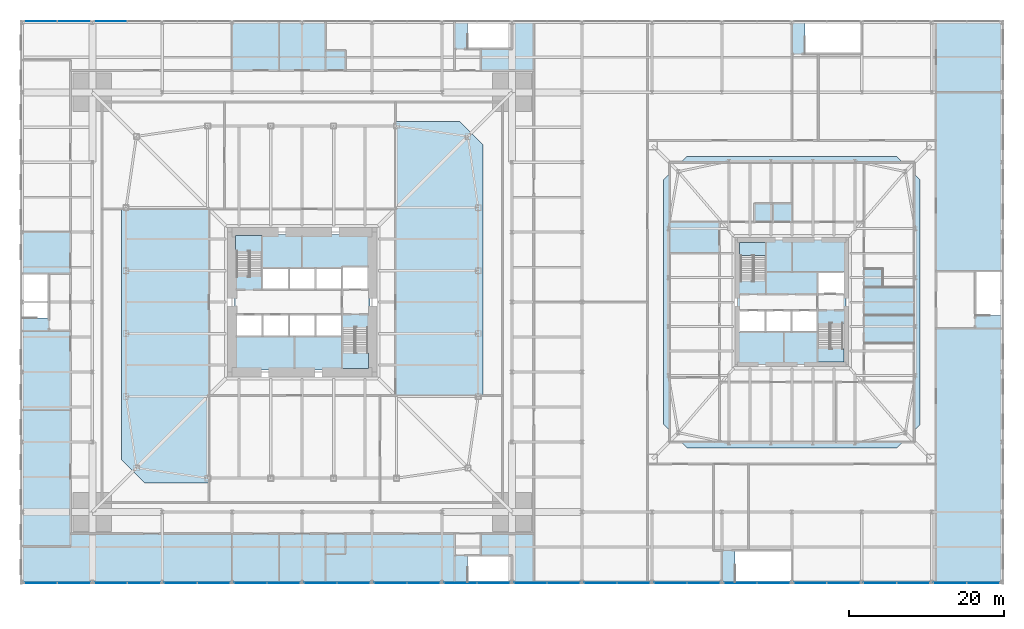
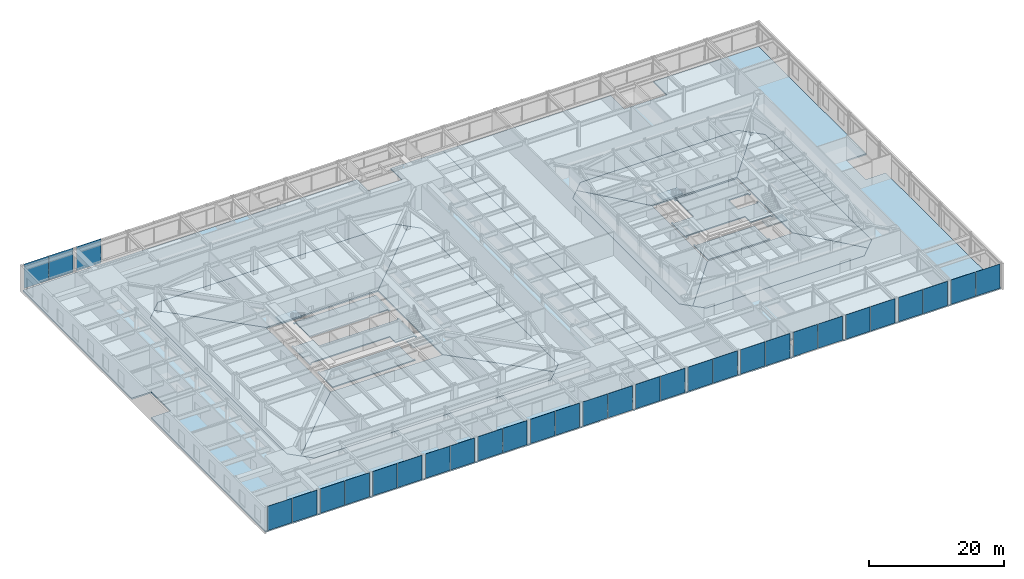
# One storey, part 18 of 30: 31 plates, 19 slabs, 20 elements without a shape of their own.
"""IFC4 building model written with IfcOpenShell, lengths in metres."""

from ifc_helpers import new_model, si_unit, direction, frame, origin, origin_2d, place, context, subcontext, project, spatial, polyline, rectangle, outline, extrude, material, layer, layer_set, constituent, constituent_set, type_object, element, aggregate, save


model = new_model("IFC4")

# Units and contexts
model_context = context("Model", 3, precision=1e-05, world=origin(), true_north=direction((0.0, 1.0)))
body_context = subcontext(model_context, "Body", "Model", "MODEL_VIEW")
ifc_project = project(units=[si_unit("LENGTHUNIT", "METRE"), si_unit("AREAUNIT", "SQUARE_METRE"), si_unit("VOLUMEUNIT", "CUBIC_METRE"), si_unit("PLANEANGLEUNIT", "RADIAN"), si_unit("MASSUNIT", "GRAM", prefix="KILO")], contexts=[model_context])

# Site, building, storey
site_placement = place(None, origin())
site = spatial("IfcSite", under=ifc_project, at=site_placement, CompositionType="ELEMENT")
building_placement = place(site_placement, origin())
building = spatial("IfcBuilding", under=site, at=building_placement, Name="Iwan Alto Co-Living Towers", CompositionType="ELEMENT")
storey_placement = place(building_placement, frame((0.0, 0.0, 10.5)))
storey = spatial("IfcBuildingStorey", under=building, at=storey_placement, Name="L02", CompositionType="ELEMENT", Elevation=10.5)

# Slabs
ifc_material_1 = material(Name="Concrete f'c 30 MPa", Category="concrete")
ifc_layer_1 = layer(ifc_material_1, 0.199951171875)
ifc_layer_set_1 = layer_set([ifc_layer_1], Name="CORE FLOOR SLAB 200")
slab_type_1 = type_object("IfcSlabType", Name="CORE FLOOR SLAB 200", PredefinedType="FLOOR", material=ifc_layer_set_1)
slab_1_placement = place(storey_placement, frame((0.0, 0.0, -0.199951171875)))
element("IfcSlab", 1, at=slab_1_placement, inside=storey, type_object=slab_type_1, Name="T1 core floor L02", PredefinedType="FLOOR", context=body_context, shape_type="SweptSolid", body=[
    extrude(outline(polyline([(8.699951171875, -3.580078125), (8.39990234375, -3.580078125), (8.39990234375, -3.27001953125), (5.14990234375, -3.27001953125), (5.14990234375, -1.60009765625), (1.72509765625, -1.60009765625), (-1.699951171875, -1.60009765625), (-5.125, -1.60009765625), (-8.39990234375, -1.60009765625), (-8.39990234375, -1.909912109375), (-8.699951171875, -1.909912109375), (-8.699951171875, 3.580078125), (-8.39990234375, 3.580078125), (-8.39990234375, 3.27001953125), (-5.14990234375, 3.27001953125), (-5.14990234375, 1.60009765625), (-1.717041015625, 1.60009765625), (1.717041015625, 1.60009765625), (5.14990234375, 1.60009765625), (8.39990234375, 1.60009765625), (8.39990234375, 1.909912109375), (8.699951171875, 1.909912109375), (8.699951171875, -3.580078125)])), origin(), (0.0, 0.0, 1.0), 0.199951171875),
])
slab_2_placement = place(storey_placement, frame((0.0, 0.0, -0.199951171875)))
element("IfcSlab", 2, at=slab_2_placement, inside=storey, type_object=slab_type_1, Name="T1 core floor L02", PredefinedType="FLOOR", context=body_context, shape_type="SweptSolid", body=[
    extrude(outline(polyline([(-1.699951171875, -4.39990234375), (1.72509765625, -4.39990234375), (5.14990234375, -4.39990234375), (5.14990234375, -8.39990234375), (5.4599609375, -8.39990234375), (5.4599609375, -8.699951171875), (-8.699951171875, -8.699951171875), (-8.699951171875, -4.090087890625), (-8.39990234375, -4.090087890625), (-8.39990234375, -4.39990234375), (-5.125, -4.39990234375), (-1.699951171875, -4.39990234375)])), origin(), (0.0, 0.0, 1.0), 0.199951171875),
])
slab_3_placement = place(storey_placement, frame((0.0, 0.0, -0.199951171875)))
element("IfcSlab", 3, at=slab_3_placement, inside=storey, type_object=slab_type_1, Name="T1 core floor L02", PredefinedType="FLOOR", context=body_context, shape_type="SweptSolid", body=[
    extrude(outline(polyline([(1.717041015625, 4.39990234375), (-1.717041015625, 4.39990234375), (-5.14990234375, 4.39990234375), (-5.14990234375, 8.39990234375), (-5.4599609375, 8.39990234375), (-5.4599609375, 8.699951171875), (8.699951171875, 8.699951171875), (8.699951171875, 4.2900390625), (8.39990234375, 4.2900390625), (8.39990234375, 4.60009765625), (5.14990234375, 4.60009765625), (5.14990234375, 4.39990234375), (1.717041015625, 4.39990234375)])), origin(), (0.0, 0.0, 1.0), 0.199951171875),
])
slab_4_placement = place(storey_placement, frame((0.0, 0.0, -0.199951171875)))
element("IfcSlab", 4, at=slab_4_placement, inside=storey, type_object=slab_type_1, Name="T2 core floor L02", PredefinedType="FLOOR", context=body_context, shape_type="SweptSolid", body=[
    extrude(outline(polyline([(70.0, -3.030029296875), (69.699951171875, -3.030029296875), (69.699951171875, -2.719970703125), (66.300048828125, -2.719970703125), (66.300048828125, -1.050048828125), (62.967041015625, -1.050048828125), (59.633056640625, -1.050048828125), (56.300048828125, -1.050048828125), (56.300048828125, -1.360107421875), (56.0, -1.360107421875), (56.0, 3.030029296875), (56.300048828125, 3.030029296875), (56.300048828125, 2.719970703125), (59.699951171875, 2.719970703125), (59.699951171875, 7.699951171875), (59.389892578125, 7.699951171875), (59.389892578125, 8.0), (70.0, 8.0), (70.0, 3.5400390625), (69.699951171875, 3.5400390625), (69.699951171875, 3.85009765625), (66.300048828125, 3.85009765625), (66.300048828125, 1.050048828125), (69.699951171875, 1.050048828125), (69.699951171875, 1.360107421875), (70.0, 1.360107421875), (70.0, -3.030029296875)])), origin(), (0.0, 0.0, 1.0), 0.199951171875),
])
slab_5_placement = place(storey_placement, frame((0.0, 0.0, -0.199951171875)))
element("IfcSlab", 5, at=slab_5_placement, inside=storey, type_object=slab_type_1, Name="T2 core floor L02", PredefinedType="FLOOR", context=body_context, shape_type="SweptSolid", body=[
    extrude(outline(polyline([(62.967041015625, -3.85009765625), (66.300048828125, -3.85009765625), (66.300048828125, -7.699951171875), (66.610107421875, -7.699951171875), (66.610107421875, -8.0), (56.0, -8.0), (56.0, -3.5400390625), (56.300048828125, -3.5400390625), (56.300048828125, -3.85009765625), (59.633056640625, -3.85009765625), (62.967041015625, -3.85009765625)])), origin(), (0.0, 0.0, 1.0), 0.199951171875),
])

# Curtain wall, plates
ifc_material_2 = material(Name="Bronze aluminium stick frame", Category="aluminium")
curtain_wall_type = type_object("IfcCurtainWallType", Name="CURTAIN WALL CW-E", PredefinedType="NOTDEFINED", material=ifc_material_2)
curtain_wall_1_placement = place(storey_placement, origin())
curtain_wall_1 = element("IfcCurtainWall", 6, at=curtain_wall_1_placement, inside=storey, type_object=curtain_wall_type, Name="Podium curtain wall S L02", PredefinedType="NOTDEFINED")
ifc_material_3 = material(Name="Bronze-tinted insulating glass", Category="glass")
ifc_layer_2 = layer(ifc_material_3, 0.031982421875)
ifc_layer_set_2 = layer_set([ifc_layer_2], Name="CW-E PANEL TINTED IGU 32")
plate_type = type_object("IfcPlateType", Name="CW-E PANEL TINTED IGU 32", PredefinedType="CURTAIN_PANEL", material=ifc_layer_set_2)
plate_1_placement = place(storey_placement, frame((-33.627197265625, -36.14990234375, 0.10009765625), z_axis=(0.0, 0.0, 1.0), x_axis=(1.0, 0.0, 0.0)))
plate_1 = element("IfcPlate", 7, at=plate_1_placement, type_object=plate_type, Name="CW-E panel 1.1", PredefinedType="CURTAIN_PANEL", context=body_context, shape_type="SweptSolid", body=[
    extrude(rectangle(XDim=4.17431640625, YDim=0.031982421875, at=origin_2d()), origin(), (0.0, 0.0, 1.0), 4.39990234375),
])
plate_2_placement = place(storey_placement, frame((-29.372802734375, -36.14990234375, 0.10009765625), z_axis=(0.0, 0.0, 1.0), x_axis=(1.0, 0.0, 0.0)))
plate_2 = element("IfcPlate", 8, at=plate_2_placement, type_object=plate_type, Name="CW-E panel 2.1", PredefinedType="CURTAIN_PANEL", context=body_context, shape_type="SweptSolid", body=[
    extrude(rectangle(XDim=4.17431640625, YDim=0.031982421875, at=origin_2d()), origin(), (0.0, 0.0, 1.0), 4.39990234375),
])
aggregate(curtain_wall_1, [plate_1, plate_2])

curtain_wall_2_placement = place(storey_placement, origin())
curtain_wall_2 = element("IfcCurtainWall", 9, at=curtain_wall_2_placement, inside=storey, type_object=curtain_wall_type, Name="Podium curtain wall S L02", PredefinedType="NOTDEFINED")
plate_3_placement = place(storey_placement, frame((-24.627197265625, -36.14990234375, 0.10009765625), z_axis=(0.0, 0.0, 1.0), x_axis=(1.0, 0.0, 0.0)))
plate_3 = element("IfcPlate", 10, at=plate_3_placement, type_object=plate_type, Name="CW-E panel 1.1", PredefinedType="CURTAIN_PANEL", context=body_context, shape_type="SweptSolid", body=[
    extrude(rectangle(XDim=4.17431640625, YDim=0.031982421875, at=origin_2d()), origin(), (0.0, 0.0, 1.0), 4.39990234375),
])
plate_4_placement = place(storey_placement, frame((-20.372802734375, -36.14990234375, 0.10009765625), z_axis=(0.0, 0.0, 1.0), x_axis=(1.0, 0.0, 0.0)))
plate_4 = element("IfcPlate", 11, at=plate_4_placement, type_object=plate_type, Name="CW-E panel 2.1", PredefinedType="CURTAIN_PANEL", context=body_context, shape_type="SweptSolid", body=[
    extrude(rectangle(XDim=4.17431640625, YDim=0.031982421875, at=origin_2d()), origin(), (0.0, 0.0, 1.0), 4.39990234375),
])
aggregate(curtain_wall_2, [plate_3, plate_4])

curtain_wall_3_placement = place(storey_placement, origin())
curtain_wall_3 = element("IfcCurtainWall", 12, at=curtain_wall_3_placement, inside=storey, type_object=curtain_wall_type, Name="Podium curtain wall S L02", PredefinedType="NOTDEFINED")
plate_5_placement = place(storey_placement, frame((-15.627197265625, -36.14990234375, 0.10009765625), z_axis=(0.0, 0.0, 1.0), x_axis=(1.0, 0.0, 0.0)))
plate_5 = element("IfcPlate", 13, at=plate_5_placement, type_object=plate_type, Name="CW-E panel 1.1", PredefinedType="CURTAIN_PANEL", context=body_context, shape_type="SweptSolid", body=[
    extrude(rectangle(XDim=4.17431640625, YDim=0.031982421875, at=origin_2d()), origin(), (0.0, 0.0, 1.0), 4.39990234375),
])
plate_6_placement = place(storey_placement, frame((-11.372802734375, -36.14990234375, 0.10009765625), z_axis=(0.0, 0.0, 1.0), x_axis=(1.0, 0.0, 0.0)))
plate_6 = element("IfcPlate", 14, at=plate_6_placement, type_object=plate_type, Name="CW-E panel 2.1", PredefinedType="CURTAIN_PANEL", context=body_context, shape_type="SweptSolid", body=[
    extrude(rectangle(XDim=4.17431640625, YDim=0.031982421875, at=origin_2d()), origin(), (0.0, 0.0, 1.0), 4.39990234375),
])
aggregate(curtain_wall_3, [plate_5, plate_6])

curtain_wall_4_placement = place(storey_placement, origin())
curtain_wall_4 = element("IfcCurtainWall", 15, at=curtain_wall_4_placement, inside=storey, type_object=curtain_wall_type, Name="Podium curtain wall S L02", PredefinedType="NOTDEFINED")
plate_7_placement = place(storey_placement, frame((-6.627197265625, -36.14990234375, 0.10009765625), z_axis=(0.0, 0.0, 1.0), x_axis=(1.0, 0.0, 0.0)))
plate_7 = element("IfcPlate", 16, at=plate_7_placement, type_object=plate_type, Name="CW-E panel 1.1", PredefinedType="CURTAIN_PANEL", context=body_context, shape_type="SweptSolid", body=[
    extrude(rectangle(XDim=4.17431640625, YDim=0.031982421875, at=origin_2d()), origin(), (0.0, 0.0, 1.0), 4.39990234375),
])
plate_8_placement = place(storey_placement, frame((-2.372802734375, -36.14990234375, 0.10009765625), z_axis=(0.0, 0.0, 1.0), x_axis=(1.0, 0.0, 0.0)))
plate_8 = element("IfcPlate", 17, at=plate_8_placement, type_object=plate_type, Name="CW-E panel 2.1", PredefinedType="CURTAIN_PANEL", context=body_context, shape_type="SweptSolid", body=[
    extrude(rectangle(XDim=4.17431640625, YDim=0.031982421875, at=origin_2d()), origin(), (0.0, 0.0, 1.0), 4.39990234375),
])
aggregate(curtain_wall_4, [plate_7, plate_8])

curtain_wall_5_placement = place(storey_placement, origin())
curtain_wall_5 = element("IfcCurtainWall", 18, at=curtain_wall_5_placement, inside=storey, type_object=curtain_wall_type, Name="Podium curtain wall S L02", PredefinedType="NOTDEFINED")
plate_9_placement = place(storey_placement, frame((2.372802734375, -36.14990234375, 0.10009765625), z_axis=(0.0, 0.0, 1.0), x_axis=(1.0, 0.0, 0.0)))
plate_9 = element("IfcPlate", 19, at=plate_9_placement, type_object=plate_type, Name="CW-E panel 1.1", PredefinedType="CURTAIN_PANEL", context=body_context, shape_type="SweptSolid", body=[
    extrude(rectangle(XDim=4.17431640625, YDim=0.031982421875, at=origin_2d()), origin(), (0.0, 0.0, 1.0), 4.39990234375),
])
plate_10_placement = place(storey_placement, frame((6.627197265625, -36.14990234375, 0.10009765625), z_axis=(0.0, 0.0, 1.0), x_axis=(1.0, 0.0, 0.0)))
plate_10 = element("IfcPlate", 20, at=plate_10_placement, type_object=plate_type, Name="CW-E panel 2.1", PredefinedType="CURTAIN_PANEL", context=body_context, shape_type="SweptSolid", body=[
    extrude(rectangle(XDim=4.17431640625, YDim=0.031982421875, at=origin_2d()), origin(), (0.0, 0.0, 1.0), 4.39990234375),
])
aggregate(curtain_wall_5, [plate_9, plate_10])

curtain_wall_6_placement = place(storey_placement, origin())
curtain_wall_6 = element("IfcCurtainWall", 21, at=curtain_wall_6_placement, inside=storey, type_object=curtain_wall_type, Name="Podium curtain wall S L02", PredefinedType="NOTDEFINED")
plate_11_placement = place(storey_placement, frame((11.372802734375, -36.14990234375, 0.10009765625), z_axis=(0.0, 0.0, 1.0), x_axis=(1.0, 0.0, 0.0)))
plate_11 = element("IfcPlate", 22, at=plate_11_placement, type_object=plate_type, Name="CW-E panel 1.1", PredefinedType="CURTAIN_PANEL", context=body_context, shape_type="SweptSolid", body=[
    extrude(rectangle(XDim=4.17431640625, YDim=0.031982421875, at=origin_2d()), origin(), (0.0, 0.0, 1.0), 4.39990234375),
])
plate_12_placement = place(storey_placement, frame((15.627197265625, -36.14990234375, 0.10009765625), z_axis=(0.0, 0.0, 1.0), x_axis=(1.0, 0.0, 0.0)))
plate_12 = element("IfcPlate", 23, at=plate_12_placement, type_object=plate_type, Name="CW-E panel 2.1", PredefinedType="CURTAIN_PANEL", context=body_context, shape_type="SweptSolid", body=[
    extrude(rectangle(XDim=4.17431640625, YDim=0.031982421875, at=origin_2d()), origin(), (0.0, 0.0, 1.0), 4.39990234375),
])
aggregate(curtain_wall_6, [plate_11, plate_12])

curtain_wall_7_placement = place(storey_placement, origin())
curtain_wall_7 = element("IfcCurtainWall", 24, at=curtain_wall_7_placement, inside=storey, type_object=curtain_wall_type, Name="Podium curtain wall S L02", PredefinedType="NOTDEFINED")
plate_13_placement = place(storey_placement, frame((20.372802734375, -36.14990234375, 0.10009765625), z_axis=(0.0, 0.0, 1.0), x_axis=(1.0, 0.0, 0.0)))
plate_13 = element("IfcPlate", 25, at=plate_13_placement, type_object=plate_type, Name="CW-E panel 1.1", PredefinedType="CURTAIN_PANEL", context=body_context, shape_type="SweptSolid", body=[
    extrude(rectangle(XDim=4.17431640625, YDim=0.031982421875, at=origin_2d()), origin(), (0.0, 0.0, 1.0), 4.39990234375),
])
plate_14_placement = place(storey_placement, frame((24.627197265625, -36.14990234375, 0.10009765625), z_axis=(0.0, 0.0, 1.0), x_axis=(1.0, 0.0, 0.0)))
plate_14 = element("IfcPlate", 26, at=plate_14_placement, type_object=plate_type, Name="CW-E panel 2.1", PredefinedType="CURTAIN_PANEL", context=body_context, shape_type="SweptSolid", body=[
    extrude(rectangle(XDim=4.17431640625, YDim=0.031982421875, at=origin_2d()), origin(), (0.0, 0.0, 1.0), 4.39990234375),
])
aggregate(curtain_wall_7, [plate_13, plate_14])

curtain_wall_8_placement = place(storey_placement, origin())
curtain_wall_8 = element("IfcCurtainWall", 27, at=curtain_wall_8_placement, inside=storey, type_object=curtain_wall_type, Name="Podium curtain wall S L02", PredefinedType="NOTDEFINED")
plate_15_placement = place(storey_placement, frame((29.372802734375, -36.14990234375, 0.10009765625), z_axis=(0.0, 0.0, 1.0), x_axis=(1.0, 0.0, 0.0)))
plate_15 = element("IfcPlate", 28, at=plate_15_placement, type_object=plate_type, Name="CW-E panel 1.1", PredefinedType="CURTAIN_PANEL", context=body_context, shape_type="SweptSolid", body=[
    extrude(rectangle(XDim=4.17431640625, YDim=0.031982421875, at=origin_2d()), origin(), (0.0, 0.0, 1.0), 4.39990234375),
])
plate_16_placement = place(storey_placement, frame((33.627197265625, -36.14990234375, 0.10009765625), z_axis=(0.0, 0.0, 1.0), x_axis=(1.0, 0.0, 0.0)))
plate_16 = element("IfcPlate", 29, at=plate_16_placement, type_object=plate_type, Name="CW-E panel 2.1", PredefinedType="CURTAIN_PANEL", context=body_context, shape_type="SweptSolid", body=[
    extrude(rectangle(XDim=4.17431640625, YDim=0.031982421875, at=origin_2d()), origin(), (0.0, 0.0, 1.0), 4.39990234375),
])
aggregate(curtain_wall_8, [plate_15, plate_16])

curtain_wall_9_placement = place(storey_placement, origin())
curtain_wall_9 = element("IfcCurtainWall", 30, at=curtain_wall_9_placement, inside=storey, type_object=curtain_wall_type, Name="Podium curtain wall S L02", PredefinedType="NOTDEFINED")
plate_17_placement = place(storey_placement, frame((38.372802734375, -36.14990234375, 0.10009765625), z_axis=(0.0, 0.0, 1.0), x_axis=(1.0, 0.0, 0.0)))
plate_17 = element("IfcPlate", 31, at=plate_17_placement, type_object=plate_type, Name="CW-E panel 1.1", PredefinedType="CURTAIN_PANEL", context=body_context, shape_type="SweptSolid", body=[
    extrude(rectangle(XDim=4.17431640625, YDim=0.031982421875, at=origin_2d()), origin(), (0.0, 0.0, 1.0), 4.39990234375),
])
plate_18_placement = place(storey_placement, frame((42.627197265625, -36.14990234375, 0.10009765625), z_axis=(0.0, 0.0, 1.0), x_axis=(1.0, 0.0, 0.0)))
plate_18 = element("IfcPlate", 32, at=plate_18_placement, type_object=plate_type, Name="CW-E panel 2.1", PredefinedType="CURTAIN_PANEL", context=body_context, shape_type="SweptSolid", body=[
    extrude(rectangle(XDim=4.17431640625, YDim=0.031982421875, at=origin_2d()), origin(), (0.0, 0.0, 1.0), 4.39990234375),
])
aggregate(curtain_wall_9, [plate_17, plate_18])

curtain_wall_10_placement = place(storey_placement, origin())
curtain_wall_10 = element("IfcCurtainWall", 33, at=curtain_wall_10_placement, inside=storey, type_object=curtain_wall_type, Name="Podium curtain wall S L02", PredefinedType="NOTDEFINED")
plate_19_placement = place(storey_placement, frame((47.372802734375, -36.14990234375, 0.10009765625), z_axis=(0.0, 0.0, 1.0), x_axis=(1.0, 0.0, 0.0)))
plate_19 = element("IfcPlate", 34, at=plate_19_placement, type_object=plate_type, Name="CW-E panel 1.1", PredefinedType="CURTAIN_PANEL", context=body_context, shape_type="SweptSolid", body=[
    extrude(rectangle(XDim=4.17431640625, YDim=0.031982421875, at=origin_2d()), origin(), (0.0, 0.0, 1.0), 4.39990234375),
])
plate_20_placement = place(storey_placement, frame((51.627197265625, -36.14990234375, 0.10009765625), z_axis=(0.0, 0.0, 1.0), x_axis=(1.0, 0.0, 0.0)))
plate_20 = element("IfcPlate", 35, at=plate_20_placement, type_object=plate_type, Name="CW-E panel 2.1", PredefinedType="CURTAIN_PANEL", context=body_context, shape_type="SweptSolid", body=[
    extrude(rectangle(XDim=4.17431640625, YDim=0.031982421875, at=origin_2d()), origin(), (0.0, 0.0, 1.0), 4.39990234375),
])
aggregate(curtain_wall_10, [plate_19, plate_20])

curtain_wall_11_placement = place(storey_placement, origin())
curtain_wall_11 = element("IfcCurtainWall", 36, at=curtain_wall_11_placement, inside=storey, type_object=curtain_wall_type, Name="Podium curtain wall S L02", PredefinedType="NOTDEFINED")
plate_21_placement = place(storey_placement, frame((56.372802734375, -36.14990234375, 0.10009765625), z_axis=(0.0, 0.0, 1.0), x_axis=(1.0, 0.0, 0.0)))
plate_21 = element("IfcPlate", 37, at=plate_21_placement, type_object=plate_type, Name="CW-E panel 1.1", PredefinedType="CURTAIN_PANEL", context=body_context, shape_type="SweptSolid", body=[
    extrude(rectangle(XDim=4.17431640625, YDim=0.031982421875, at=origin_2d()), origin(), (0.0, 0.0, 1.0), 4.39990234375),
])
plate_22_placement = place(storey_placement, frame((60.627197265625, -36.14990234375, 0.10009765625), z_axis=(0.0, 0.0, 1.0), x_axis=(1.0, 0.0, 0.0)))
plate_22 = element("IfcPlate", 38, at=plate_22_placement, type_object=plate_type, Name="CW-E panel 2.1", PredefinedType="CURTAIN_PANEL", context=body_context, shape_type="SweptSolid", body=[
    extrude(rectangle(XDim=4.17431640625, YDim=0.031982421875, at=origin_2d()), origin(), (0.0, 0.0, 1.0), 4.39990234375),
])
aggregate(curtain_wall_11, [plate_21, plate_22])

curtain_wall_12_placement = place(storey_placement, origin())
curtain_wall_12 = element("IfcCurtainWall", 39, at=curtain_wall_12_placement, inside=storey, type_object=curtain_wall_type, Name="Podium curtain wall S L02", PredefinedType="NOTDEFINED")
plate_23_placement = place(storey_placement, frame((65.372802734375, -36.14990234375, 0.10009765625), z_axis=(0.0, 0.0, 1.0), x_axis=(1.0, 0.0, 0.0)))
plate_23 = element("IfcPlate", 40, at=plate_23_placement, type_object=plate_type, Name="CW-E panel 1.1", PredefinedType="CURTAIN_PANEL", context=body_context, shape_type="SweptSolid", body=[
    extrude(rectangle(XDim=4.17431640625, YDim=0.031982421875, at=origin_2d()), origin(), (0.0, 0.0, 1.0), 4.39990234375),
])
plate_24_placement = place(storey_placement, frame((69.627197265625, -36.14990234375, 0.10009765625), z_axis=(0.0, 0.0, 1.0), x_axis=(1.0, 0.0, 0.0)))
plate_24 = element("IfcPlate", 41, at=plate_24_placement, type_object=plate_type, Name="CW-E panel 2.1", PredefinedType="CURTAIN_PANEL", context=body_context, shape_type="SweptSolid", body=[
    extrude(rectangle(XDim=4.17431640625, YDim=0.031982421875, at=origin_2d()), origin(), (0.0, 0.0, 1.0), 4.39990234375),
])
aggregate(curtain_wall_12, [plate_23, plate_24])

curtain_wall_13_placement = place(storey_placement, origin())
curtain_wall_13 = element("IfcCurtainWall", 42, at=curtain_wall_13_placement, inside=storey, type_object=curtain_wall_type, Name="Podium curtain wall S L02", PredefinedType="NOTDEFINED")
plate_25_placement = place(storey_placement, frame((74.372802734375, -36.14990234375, 0.10009765625), z_axis=(0.0, 0.0, 1.0), x_axis=(1.0, 0.0, 0.0)))
plate_25 = element("IfcPlate", 43, at=plate_25_placement, type_object=plate_type, Name="CW-E panel 1.1", PredefinedType="CURTAIN_PANEL", context=body_context, shape_type="SweptSolid", body=[
    extrude(rectangle(XDim=4.17431640625, YDim=0.031982421875, at=origin_2d()), origin(), (0.0, 0.0, 1.0), 4.39990234375),
])
plate_26_placement = place(storey_placement, frame((78.627197265625, -36.14990234375, 0.10009765625), z_axis=(0.0, 0.0, 1.0), x_axis=(1.0, 0.0, 0.0)))
plate_26 = element("IfcPlate", 44, at=plate_26_placement, type_object=plate_type, Name="CW-E panel 2.1", PredefinedType="CURTAIN_PANEL", context=body_context, shape_type="SweptSolid", body=[
    extrude(rectangle(XDim=4.17431640625, YDim=0.031982421875, at=origin_2d()), origin(), (0.0, 0.0, 1.0), 4.39990234375),
])
aggregate(curtain_wall_13, [plate_25, plate_26])

curtain_wall_14_placement = place(storey_placement, origin())
curtain_wall_14 = element("IfcCurtainWall", 45, at=curtain_wall_14_placement, inside=storey, type_object=curtain_wall_type, Name="Podium curtain wall S L02", PredefinedType="NOTDEFINED")
plate_27_placement = place(storey_placement, frame((83.372802734375, -36.14990234375, 0.10009765625), z_axis=(0.0, 0.0, 1.0), x_axis=(1.0, 0.0, 0.0)))
plate_27 = element("IfcPlate", 46, at=plate_27_placement, type_object=plate_type, Name="CW-E panel 1.1", PredefinedType="CURTAIN_PANEL", context=body_context, shape_type="SweptSolid", body=[
    extrude(rectangle(XDim=4.17431640625, YDim=0.031982421875, at=origin_2d()), origin(), (0.0, 0.0, 1.0), 4.39990234375),
])
plate_28_placement = place(storey_placement, frame((87.627197265625, -36.14990234375, 0.10009765625), z_axis=(0.0, 0.0, 1.0), x_axis=(1.0, 0.0, 0.0)))
plate_28 = element("IfcPlate", 47, at=plate_28_placement, type_object=plate_type, Name="CW-E panel 2.1", PredefinedType="CURTAIN_PANEL", context=body_context, shape_type="SweptSolid", body=[
    extrude(rectangle(XDim=4.17431640625, YDim=0.031982421875, at=origin_2d()), origin(), (0.0, 0.0, 1.0), 4.39990234375),
])
aggregate(curtain_wall_14, [plate_27, plate_28])

curtain_wall_15_placement = place(storey_placement, origin())
curtain_wall_15 = element("IfcCurtainWall", 48, at=curtain_wall_15_placement, inside=storey, type_object=curtain_wall_type, Name="Podium curtain wall N L02", PredefinedType="NOTDEFINED")
plate_29_placement = place(storey_placement, frame((-29.372802734375, 36.14990234375, 0.10009765625), z_axis=(0.0, 0.0, 1.0), x_axis=(-1.0, 0.0, 0.0)))
plate_29 = element("IfcPlate", 49, at=plate_29_placement, type_object=plate_type, Name="CW-E panel 1.1", PredefinedType="CURTAIN_PANEL", context=body_context, shape_type="SweptSolid", body=[
    extrude(rectangle(XDim=4.17431640625, YDim=0.031982421875, at=origin_2d()), origin(), (0.0, 0.0, 1.0), 4.39990234375),
])
plate_30_placement = place(storey_placement, frame((-33.627197265625, 36.14990234375, 0.10009765625), z_axis=(0.0, 0.0, 1.0), x_axis=(-1.0, 0.0, 0.0)))
plate_30 = element("IfcPlate", 50, at=plate_30_placement, type_object=plate_type, Name="CW-E panel 2.1", PredefinedType="CURTAIN_PANEL", context=body_context, shape_type="SweptSolid", body=[
    extrude(rectangle(XDim=4.17431640625, YDim=0.031982421875, at=origin_2d()), origin(), (0.0, 0.0, 1.0), 4.39990234375),
])
aggregate(curtain_wall_15, [plate_29, plate_30])

# Curtain wall, plate
curtain_wall_16_placement = place(storey_placement, origin())
curtain_wall_16 = element("IfcCurtainWall", 51, at=curtain_wall_16_placement, inside=storey, type_object=curtain_wall_type, Name="Podium curtain wall N L02", PredefinedType="NOTDEFINED")
plate_31_placement = place(storey_placement, frame((-24.627197265625, 36.14990234375, 0.10009765625), z_axis=(0.0, 0.0, 1.0), x_axis=(-1.0, 0.0, 0.0)))
plate_31 = element("IfcPlate", 52, at=plate_31_placement, type_object=plate_type, Name="CW-E panel 2.1", PredefinedType="CURTAIN_PANEL", context=body_context, shape_type="SweptSolid", body=[
    extrude(rectangle(XDim=4.17431640625, YDim=0.031982421875, at=origin_2d()), origin(), (0.0, 0.0, 1.0), 4.39990234375),
])
aggregate(curtain_wall_16, [plate_31])

# Slabs
ifc_material_4 = material(Name="Concrete f'c 30 MPa", Category="concrete")
ifc_layer_3 = layer(ifc_material_4, 0.25)
ifc_layer_set_3 = layer_set([ifc_layer_3], Name="PODIUM FLOOR SLAB 250")
slab_type_2 = type_object("IfcSlabType", Name="PODIUM FLOOR SLAB 250", PredefinedType="FLOOR", material=ifc_layer_set_3)
slab_6_placement = place(storey_placement, frame((0.0, 0.0, -0.25)))
element("IfcSlab", 53, at=slab_6_placement, inside=storey, type_object=slab_type_2, Name="Podium floor slab L02 T1 S pour", PredefinedType="FLOOR", context=body_context, shape_type="SweptSolid", body=[
    extrude(outline(polyline([(20.25, -23.25), (-20.25, -23.25), (-21.75, -21.75), (-9.60009765625, -9.60009765625), (9.60009765625, -9.60009765625), (21.75, -21.75), (20.25, -23.25)])), origin(), (0.0, 0.0, 1.0), 0.25),
])
slab_7_placement = place(storey_placement, frame((0.0, 0.0, -0.25)))
element("IfcSlab", 54, at=slab_7_placement, inside=storey, type_object=slab_type_2, Name="Podium floor slab L02 T1 E pour", PredefinedType="FLOOR", context=body_context, shape_type="SweptSolid", body=[
    extrude(outline(polyline([(23.25, 20.25), (23.25, -20.25), (21.75, -21.75), (9.60009765625, -9.60009765625), (9.60009765625, 9.60009765625), (21.75, 21.75), (23.25, 20.25)])), origin(), (0.0, 0.0, 1.0), 0.25),
])
slab_8_placement = place(storey_placement, frame((0.0, 0.0, -0.25)))
element("IfcSlab", 55, at=slab_8_placement, inside=storey, type_object=slab_type_2, Name="Podium floor slab L02 T1 N pour", PredefinedType="FLOOR", context=body_context, shape_type="SweptSolid", body=[
    extrude(outline(polyline([(-20.25, 23.25), (20.25, 23.25), (21.75, 21.75), (9.60009765625, 9.60009765625), (-9.60009765625, 9.60009765625), (-21.75, 21.75), (-20.25, 23.25)])), origin(), (0.0, 0.0, 1.0), 0.25),
])
slab_9_placement = place(storey_placement, frame((0.0, 0.0, -0.25)))
element("IfcSlab", 56, at=slab_9_placement, inside=storey, type_object=slab_type_2, Name="Podium floor slab L02 T1 W pour", PredefinedType="FLOOR", context=body_context, shape_type="SweptSolid", body=[
    extrude(outline(polyline([(-23.25, 20.25), (-21.75, 21.75), (-9.60009765625, 9.60009765625), (-9.60009765625, -9.60009765625), (-21.75, -21.75), (-23.25, -20.25), (-23.25, 20.25)])), origin(), (0.0, 0.0, 1.0), 0.25),
])
slab_10_placement = place(storey_placement, frame((0.0, 0.0, -0.25)))
element("IfcSlab", 57, at=slab_10_placement, inside=storey, type_object=slab_type_2, Name="Podium floor slab L02 T2 S pour", PredefinedType="FLOOR", context=body_context, shape_type="SweptSolid", body=[
    extrude(outline(polyline([(76.5, -18.75), (49.5, -18.75), (48.00244140625, -17.25244140625), (55.699951171875, -8.300048828125), (70.300048828125, -8.300048828125), (77.99755859375, -17.25244140625), (76.5, -18.75)])), origin(), (0.0, 0.0, 1.0), 0.25),
])
slab_11_placement = place(storey_placement, frame((0.0, 0.0, -0.25)))
element("IfcSlab", 58, at=slab_11_placement, inside=storey, type_object=slab_type_2, Name="Podium floor slab L02 T2 E pour", PredefinedType="FLOOR", context=body_context, shape_type="SweptSolid", body=[
    extrude(outline(polyline([(79.5, 15.75), (79.5, -15.75), (77.99755859375, -17.25244140625), (70.300048828125, -8.300048828125), (70.300048828125, 8.300048828125), (77.99755859375, 17.25244140625), (79.5, 15.75)])), origin(), (0.0, 0.0, 1.0), 0.25),
])
slab_12_placement = place(storey_placement, frame((0.0, 0.0, -0.25)))
element("IfcSlab", 59, at=slab_12_placement, inside=storey, type_object=slab_type_2, Name="Podium floor slab L02 T2 N pour", PredefinedType="FLOOR", context=body_context, shape_type="SweptSolid", body=[
    extrude(outline(polyline([(49.5, 18.75), (76.5, 18.75), (77.99755859375, 17.25244140625), (70.300048828125, 8.300048828125), (55.699951171875, 8.300048828125), (48.00244140625, 17.25244140625), (49.5, 18.75)])), origin(), (0.0, 0.0, 1.0), 0.25),
])
slab_13_placement = place(storey_placement, frame((0.0, 0.0, -0.25)))
element("IfcSlab", 60, at=slab_13_placement, inside=storey, type_object=slab_type_2, Name="Podium floor slab L02 T2 W pour", PredefinedType="FLOOR", context=body_context, shape_type="SweptSolid", body=[
    extrude(outline(polyline([(46.5, 15.75), (48.00244140625, 17.25244140625), (55.699951171875, 8.300048828125), (55.699951171875, -8.300048828125), (48.00244140625, -17.25244140625), (46.5, -15.75), (46.5, 15.75)])), origin(), (0.0, 0.0, 1.0), 0.25),
])
slab_14_placement = place(storey_placement, frame((0.0, 0.0, -0.25)))
element("IfcSlab", 61, at=slab_14_placement, inside=storey, type_object=slab_type_2, Name="Podium floor slab L02 T1 side pour", PredefinedType="FLOOR", context=body_context, shape_type="SweptSolid", body=[
    extrude(outline(polyline([(-36.0, 3.699951171875), (-36.0, 36.0), (21.27001953125, 36.0), (21.27001953125, 32.60009765625), (27.0, 32.60009765625), (27.0, 36.0), (36.0, 36.0), (36.0, -36.0), (27.0, -36.0), (27.0, -32.60009765625), (21.27001953125, -32.60009765625), (21.27001953125, -36.0), (-36.0, -36.0), (-36.0, -2.030029296875), (-32.60009765625, -2.030029296875), (-32.60009765625, 3.699951171875), (-36.0, 3.699951171875)]), holes=[polyline([(20.25, -23.25), (23.25, -20.25), (23.25, 20.25), (20.25, 23.25), (-20.25, 23.25), (-23.25, 20.25), (-23.25, -20.25), (-20.25, -23.25), (20.25, -23.25)])]), origin(), (0.0, 0.0, 1.0), 0.25),
])
slab_15_placement = place(storey_placement, frame((0.0, 0.0, -0.25)))
element("IfcSlab", 62, at=slab_15_placement, inside=storey, type_object=slab_type_2, Name="Podium floor slab L02 T2 side pour", PredefinedType="FLOOR", context=body_context, shape_type="SweptSolid", body=[
    extrude(outline(polyline([(64.669921875, 36.0), (64.669921875, 31.9599609375), (72.0, 31.9599609375), (72.0, 36.0), (90.0, 36.0), (90.0, 4.0), (86.60009765625, 4.0), (86.60009765625, -1.72998046875), (90.0, -1.72998046875), (90.0, -36.0), (63.0, -36.0), (63.0, -31.9599609375), (55.669921875, -31.9599609375), (55.669921875, -36.0), (36.0, -36.0), (36.0, 36.0), (64.669921875, 36.0)]), holes=[polyline([(76.5, -18.75), (79.5, -15.75), (79.5, 15.75), (76.5, 18.75), (49.5, 18.75), (46.5, 15.75), (46.5, -15.75), (49.5, -18.75), (76.5, -18.75)])]), origin(), (0.0, 0.0, 1.0), 0.25),
])

# Stair, slab
ifc_material_5 = material(Name="Steel ASTM A36", Category="steel")
ifc_constituent_1 = constituent(ifc_material_5, Name="Stringers", Category="LoadBearing")
ifc_material_6 = material(Name="Concrete f'c 30 MPa", Category="concrete")
ifc_constituent_2 = constituent(ifc_material_6, Name="Tread fill", Category="Finish")
ifc_constituent_set_1 = constituent_set(constituents=[ifc_constituent_1, ifc_constituent_2], Name="STAIR 4500 TWO-FLIGHT T1 CORE")
stair_type_1 = type_object("IfcStairType", Name="STAIR 4500 TWO-FLIGHT T1 CORE", PredefinedType="HALF_TURN_STAIR", material=ifc_constituent_set_1)
stair_1_placement = place(storey_placement, origin())
stair_1 = element("IfcStair", 63, at=stair_1_placement, inside=storey, type_object=stair_type_1, Name="Stair T1-S1 L02 to L03", PredefinedType="HALF_TURN_STAIR")
ifc_material_7 = material(Name="Concrete f'c 30 MPa", Category="concrete")
ifc_layer_4 = layer(ifc_material_7, 0.199951171875)
ifc_layer_set_4 = layer_set([ifc_layer_4], Name="STAIR LANDING 200")
slab_type_3 = type_object("IfcSlabType", Name="STAIR LANDING 200", PredefinedType="LANDING", material=ifc_layer_set_4)
slab_16_placement = place(storey_placement, frame((0.0, 0.0, 2.050048828125)))
slab_16 = element("IfcSlab", 64, at=slab_16_placement, type_object=slab_type_3, Name="T1-S1 landing 1", PredefinedType="LANDING", context=body_context, shape_type="SweptSolid", body=[
    extrude(outline(polyline([(-8.550048828125, 6.530029296875), (-8.550048828125, 8.550048828125), (-5.14990234375, 8.550048828125), (-5.14990234375, 6.530029296875), (-8.550048828125, 6.530029296875)])), origin(), (0.0, 0.0, 1.0), 0.199951171875),
])
aggregate(stair_1, [slab_16])

stair_2_placement = place(storey_placement, origin())
stair_2 = element("IfcStair", 65, at=stair_2_placement, inside=storey, type_object=stair_type_1, Name="Stair T1-S2 L02 to L03", PredefinedType="HALF_TURN_STAIR")
slab_17_placement = place(storey_placement, frame((0.0, 0.0, 2.050048828125)))
slab_17 = element("IfcSlab", 66, at=slab_17_placement, type_object=slab_type_3, Name="T1-S2 landing 1", PredefinedType="LANDING", context=body_context, shape_type="SweptSolid", body=[
    extrude(outline(polyline([(5.14990234375, -6.530029296875), (5.14990234375, -8.550048828125), (8.550048828125, -8.550048828125), (8.550048828125, -6.530029296875), (5.14990234375, -6.530029296875)])), origin(), (0.0, 0.0, 1.0), 0.199951171875),
])
aggregate(stair_2, [slab_17])

ifc_constituent_3 = constituent(ifc_material_5, Name="Stringers", Category="LoadBearing")
ifc_constituent_4 = constituent(ifc_material_6, Name="Tread fill", Category="Finish")
ifc_constituent_set_2 = constituent_set(constituents=[ifc_constituent_3, ifc_constituent_4], Name="STAIR 4500 TWO-FLIGHT T2 CORE")
stair_type_2 = type_object("IfcStairType", Name="STAIR 4500 TWO-FLIGHT T2 CORE", PredefinedType="HALF_TURN_STAIR", material=ifc_constituent_set_2)
stair_3_placement = place(storey_placement, origin())
stair_3 = element("IfcStair", 67, at=stair_3_placement, inside=storey, type_object=stair_type_2, Name="Stair T2-S1 L02 to L03", PredefinedType="HALF_TURN_STAIR")
slab_18_placement = place(storey_placement, frame((0.0, 0.0, 2.050048828125)))
slab_18 = element("IfcSlab", 68, at=slab_18_placement, type_object=slab_type_3, Name="T2-S1 landing 1", PredefinedType="LANDING", context=body_context, shape_type="SweptSolid", body=[
    extrude(outline(polyline([(56.300048828125, 5.97998046875), (56.300048828125, 7.699951171875), (59.699951171875, 7.699951171875), (59.699951171875, 5.97998046875), (56.300048828125, 5.97998046875)])), origin(), (0.0, 0.0, 1.0), 0.199951171875),
])
aggregate(stair_3, [slab_18])

stair_4_placement = place(storey_placement, origin())
stair_4 = element("IfcStair", 69, at=stair_4_placement, inside=storey, type_object=stair_type_2, Name="Stair T2-S2 L02 to L03", PredefinedType="HALF_TURN_STAIR")
slab_19_placement = place(storey_placement, frame((0.0, 0.0, 2.050048828125)))
slab_19 = element("IfcSlab", 70, at=slab_19_placement, type_object=slab_type_3, Name="T2-S2 landing 1", PredefinedType="LANDING", context=body_context, shape_type="SweptSolid", body=[
    extrude(outline(polyline([(66.300048828125, -5.97998046875), (66.300048828125, -7.699951171875), (69.699951171875, -7.699951171875), (69.699951171875, -5.97998046875), (66.300048828125, -5.97998046875)])), origin(), (0.0, 0.0, 1.0), 0.199951171875),
])
aggregate(stair_4, [slab_19])

save(model, "model.ifc")
